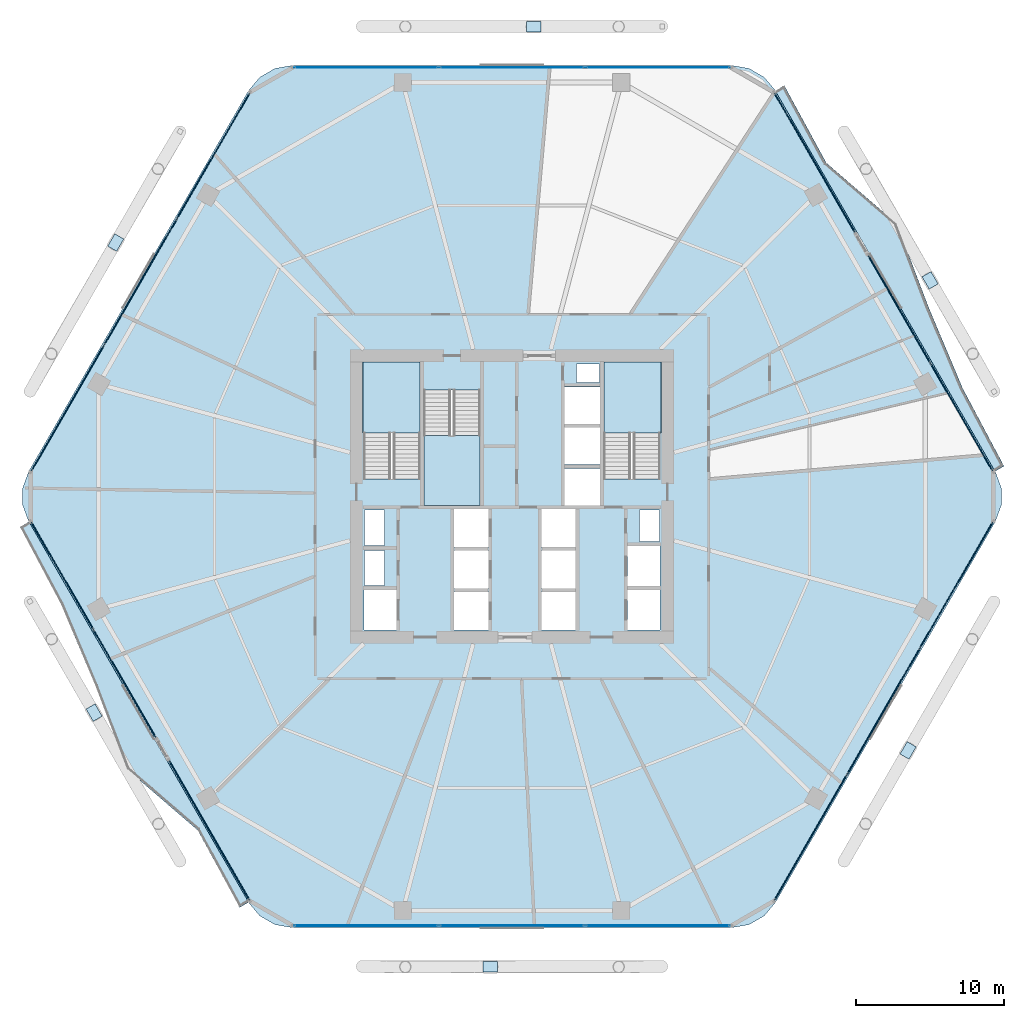
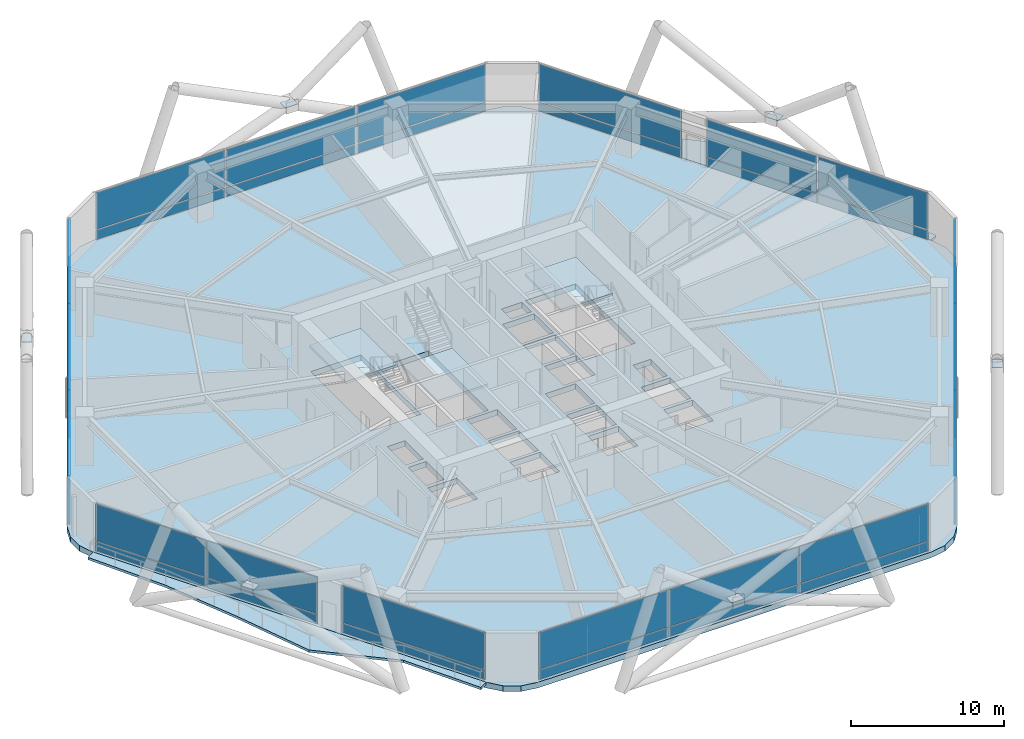
# One storey, part 24 of 31: 42 plates, 6 slabs, 11 elements without a shape of their own.
"""IFC4 building model written with IfcOpenShell, lengths in metres."""

from ifc_helpers import new_model, si_unit, direction, frame, origin, origin_2d, place, context, subcontext, project, spatial, polyline, rectangle, outline, extrude, material, layer, layer_set, type_object, element, aggregate, save


model = new_model("IFC4")

# Units and contexts
model_context = context("Model", 3, precision=1e-05, world=origin(), true_north=direction((0.0, 1.0)))
body_context = subcontext(model_context, "Body", "Model", "MODEL_VIEW")
ifc_project = project(units=[si_unit("LENGTHUNIT", "METRE"), si_unit("AREAUNIT", "SQUARE_METRE"), si_unit("VOLUMEUNIT", "CUBIC_METRE"), si_unit("PLANEANGLEUNIT", "RADIAN"), si_unit("MASSUNIT", "GRAM", prefix="KILO")], contexts=[model_context])

# Site, building, storey
site_placement = place(None, origin())
site = spatial("IfcSite", under=ifc_project, at=site_placement, CompositionType="ELEMENT")
building_placement = place(site_placement, origin())
building = spatial("IfcBuilding", under=site, at=building_placement, Name="Zuhravey Tower", CompositionType="ELEMENT")
storey_placement = place(building_placement, frame((0.0, 0.0, 7.800048828125)))
storey = spatial("IfcBuildingStorey", under=building, at=storey_placement, Name="L02", CompositionType="ELEMENT", Elevation=7.800048828125)

# Plates
ifc_material_1 = material(Name="Steel SM460", Category="steel")
ifc_layer_1 = layer(ifc_material_1, 0.0400390625)
ifc_layer_set_1 = layer_set([ifc_layer_1], Name="Steel SM460")
plate_type_1 = type_object("IfcPlateType", Name="Exoskeleton Zone 1 Node Plate ND1", PredefinedType="SHEET", material=ifc_layer_set_1)
for number, where, z_axis, x_axis, name in (
    (1, (64.2177734375, 46.59228515625, 3.600830078125), (0.0, 0.0, 1.0), (-0.5, 0.866025403784, 0.0), "L02 Face 1 Diagrid X-Crossing Plate"),
    (2, (37.471435546875, 63.718505859375, 3.600830078125), (0.0, 0.0, 1.0), (-1.0, 0.0, 0.0), "L02 Face 2 Diagrid X-Crossing Plate"),
    (3, (9.25390625, 49.14111328125, 3.600830078125), (0.0, 0.0, 1.0), (-0.5, -0.866025403784, 0.0), "L02 Face 3 Diagrid X-Crossing Plate"),
    (4, (7.79541015625, 17.4150390625, 3.600830078125), (0.0, 0.0, 1.0), (0.5, -0.866025403784, 0.0), "L02 Face 4 Diagrid X-Crossing Plate"),
    (5, (34.528564453125, 0.2666015625, 3.600830078125), (0.0, 0.0, 1.0), (1.0, 0.0, 0.0), "L02 Face 5 Diagrid X-Crossing Plate"),
    (6, (62.733154296875, 14.866455078125, 3.600830078125), (0.0, 0.0, 1.0), (0.5, 0.866025403784, 0.0), "L02 Face 6 Diagrid X-Crossing Plate"),
):
    element("IfcPlate", number, at=place(storey_placement, frame(where, z_axis=z_axis, x_axis=x_axis)), inside=storey, type_object=plate_type_1, Name=name, PredefinedType="SHEET", context=body_context, shape_type="SweptSolid", body=[
        extrude(rectangle(XDim=0.9599609375, YDim=0.699951171875, at=origin_2d()), origin(), (0.0, 0.0, 1.0), 0.0400390625),
    ])

# Curtain wall, plates
ifc_material_2 = material(Name="Thermally broken anodised aluminium", Category="aluminium")
curtain_wall_type = type_object("IfcCurtainWallType", Name="School Low-E Unitised Curtain Wall CW1", PredefinedType="NOTDEFINED", material=ifc_material_2)
curtain_wall_1_placement = place(storey_placement, origin())
curtain_wall_1 = element("IfcCurtainWall", 7, at=curtain_wall_1_placement, inside=storey, type_object=curtain_wall_type, Name="L02 CW1 CW-L02-F6-1", PredefinedType="NOTDEFINED")
ifc_material_3 = material(Name="Ceramic-fritted insulated spandrel glass", Category="glass")
ifc_layer_2 = layer(ifc_material_3, 0.06005859375)
ifc_layer_set_2 = layer_set([ifc_layer_2], Name="Ceramic-fritted insulated spandrel glass")
plate_type_2 = type_object("IfcPlateType", Name="Insulated Spandrel Panel", PredefinedType="CURTAIN_PANEL", material=ifc_layer_set_2)
plate_1_placement = place(storey_placement, frame((66.000732421875, 26.045654296875, 0.08984375), z_axis=(0.0, 0.0, 1.0), x_axis=(-0.499999794119, -0.86602552265, 0.0)))
plate_1 = element("IfcPlate", 8, at=plate_1_placement, type_object=plate_type_2, Name="CW1 panel 1.1", PredefinedType="CURTAIN_PANEL", context=body_context, shape_type="SweptSolid", body=[
    extrude(rectangle(XDim=9.7314453125, YDim=0.06005859375, at=origin_2d()), origin(), (0.0, 0.0, 1.0), 0.715087890625),
])
plate_2_placement = place(storey_placement, frame((66.000732421875, 26.045654296875, 0.89501953125), z_axis=(0.0, 0.0, 1.0), x_axis=(-0.499999794119, -0.86602552265, 0.0)))
plate_2 = element("IfcPlate", 9, at=plate_2_placement, type_object=plate_type_2, Name="CW1 panel 1.2", PredefinedType="CURTAIN_PANEL", context=body_context, shape_type="SweptSolid", body=[
    extrude(rectangle(XDim=9.7314453125, YDim=0.06005859375, at=origin_2d()), origin(), (0.0, 0.0, 1.0), 2.93505859375),
])
plate_3_placement = place(storey_placement, frame((61.078857421875, 17.520751953125, 0.08984375), z_axis=(0.0, 0.0, 1.0), x_axis=(-0.499999794119, -0.86602552265, 0.0)))
plate_3 = element("IfcPlate", 10, at=plate_3_placement, type_object=plate_type_2, Name="CW1 panel 2.1", PredefinedType="CURTAIN_PANEL", context=body_context, shape_type="SweptSolid", body=[
    extrude(rectangle(XDim=9.7763671875, YDim=0.06005859375, at=origin_2d()), origin(), (0.0, 0.0, 1.0), 0.715087890625),
])
plate_4_placement = place(storey_placement, frame((61.078857421875, 17.520751953125, 0.89501953125), z_axis=(0.0, 0.0, 1.0), x_axis=(-0.499999794119, -0.86602552265, 0.0)))
plate_4 = element("IfcPlate", 11, at=plate_4_placement, type_object=plate_type_2, Name="CW1 panel 2.2", PredefinedType="CURTAIN_PANEL", context=body_context, shape_type="SweptSolid", body=[
    extrude(rectangle(XDim=9.7763671875, YDim=0.06005859375, at=origin_2d()), origin(), (0.0, 0.0, 1.0), 2.93505859375),
])
plate_5_placement = place(storey_placement, frame((56.15673828125, 8.995849609375, 0.08984375), z_axis=(0.0, 0.0, 1.0), x_axis=(-0.499999794119, -0.86602552265, 0.0)))
plate_5 = element("IfcPlate", 12, at=plate_5_placement, type_object=plate_type_2, Name="CW1 panel 3.1", PredefinedType="CURTAIN_PANEL", context=body_context, shape_type="SweptSolid", body=[
    extrude(rectangle(XDim=9.7314453125, YDim=0.06005859375, at=origin_2d()), origin(), (0.0, 0.0, 1.0), 0.715087890625),
])
plate_6_placement = place(storey_placement, frame((56.15673828125, 8.995849609375, 0.89501953125), z_axis=(0.0, 0.0, 1.0), x_axis=(-0.499999794119, -0.86602552265, 0.0)))
plate_6 = element("IfcPlate", 13, at=plate_6_placement, type_object=plate_type_2, Name="CW1 panel 3.2", PredefinedType="CURTAIN_PANEL", context=body_context, shape_type="SweptSolid", body=[
    extrude(rectangle(XDim=9.7314453125, YDim=0.06005859375, at=origin_2d()), origin(), (0.0, 0.0, 1.0), 2.93505859375),
])
aggregate(curtain_wall_1, [plate_1, plate_2, plate_3, plate_4, plate_5, plate_6])

curtain_wall_2_placement = place(storey_placement, origin())
curtain_wall_2 = element("IfcCurtainWall", 14, at=curtain_wall_2_placement, inside=storey, type_object=curtain_wall_type, Name="L02 CW1 CW-L02-F5-1", PredefinedType="NOTDEFINED")
plate_7_placement = place(storey_placement, frame((45.84375, 3.04150390625, 0.08984375), z_axis=(0.0, 0.0, 1.0), x_axis=(-1.0, 0.0, 0.0)))
plate_7 = element("IfcPlate", 15, at=plate_7_placement, type_object=plate_type_2, Name="CW1 panel 1.1", PredefinedType="CURTAIN_PANEL", context=body_context, shape_type="SweptSolid", body=[
    extrude(rectangle(XDim=9.7314453125, YDim=0.06005859375, at=origin_2d()), origin(), (0.0, 0.0, 1.0), 0.715087890625),
])
plate_8_placement = place(storey_placement, frame((45.84375, 3.04150390625, 0.89501953125), z_axis=(0.0, 0.0, 1.0), x_axis=(-1.0, 0.0, 0.0)))
plate_8 = element("IfcPlate", 16, at=plate_8_placement, type_object=plate_type_2, Name="CW1 panel 1.2", PredefinedType="CURTAIN_PANEL", context=body_context, shape_type="SweptSolid", body=[
    extrude(rectangle(XDim=9.7314453125, YDim=0.06005859375, at=origin_2d()), origin(), (0.0, 0.0, 1.0), 2.93505859375),
])
plate_9_placement = place(storey_placement, frame((36.0, 3.04150390625, 0.08984375), z_axis=(0.0, 0.0, 1.0), x_axis=(-1.0, 0.0, 0.0)))
plate_9 = element("IfcPlate", 17, at=plate_9_placement, type_object=plate_type_2, Name="CW1 panel 2.1", PredefinedType="CURTAIN_PANEL", context=body_context, shape_type="SweptSolid", body=[
    extrude(rectangle(XDim=9.7763671875, YDim=0.06005859375, at=origin_2d()), origin(), (0.0, 0.0, 1.0), 0.715087890625),
])
plate_10_placement = place(storey_placement, frame((36.0, 3.04150390625, 0.89501953125), z_axis=(0.0, 0.0, 1.0), x_axis=(-1.0, 0.0, 0.0)))
plate_10 = element("IfcPlate", 18, at=plate_10_placement, type_object=plate_type_2, Name="CW1 panel 2.2", PredefinedType="CURTAIN_PANEL", context=body_context, shape_type="SweptSolid", body=[
    extrude(rectangle(XDim=9.7763671875, YDim=0.06005859375, at=origin_2d()), origin(), (0.0, 0.0, 1.0), 2.93505859375),
])
plate_11_placement = place(storey_placement, frame((26.15625, 3.04150390625, 0.08984375), z_axis=(0.0, 0.0, 1.0), x_axis=(-1.0, 0.0, 0.0)))
plate_11 = element("IfcPlate", 19, at=plate_11_placement, type_object=plate_type_2, Name="CW1 panel 3.1", PredefinedType="CURTAIN_PANEL", context=body_context, shape_type="SweptSolid", body=[
    extrude(rectangle(XDim=9.7314453125, YDim=0.06005859375, at=origin_2d()), origin(), (0.0, 0.0, 1.0), 0.715087890625),
])
plate_12_placement = place(storey_placement, frame((26.15625, 3.04150390625, 0.89501953125), z_axis=(0.0, 0.0, 1.0), x_axis=(-1.0, 0.0, 0.0)))
plate_12 = element("IfcPlate", 20, at=plate_12_placement, type_object=plate_type_2, Name="CW1 panel 3.2", PredefinedType="CURTAIN_PANEL", context=body_context, shape_type="SweptSolid", body=[
    extrude(rectangle(XDim=9.7314453125, YDim=0.06005859375, at=origin_2d()), origin(), (0.0, 0.0, 1.0), 2.93505859375),
])
aggregate(curtain_wall_2, [plate_7, plate_8, plate_9, plate_10, plate_11, plate_12])

curtain_wall_3_placement = place(storey_placement, origin())
curtain_wall_3 = element("IfcCurtainWall", 21, at=curtain_wall_3_placement, inside=storey, type_object=curtain_wall_type, Name="L02 CW1 CW-L02-F4-1", PredefinedType="NOTDEFINED")
plate_13_placement = place(storey_placement, frame((15.574951171875, 9.460205078125, 0.08984375), z_axis=(0.0, 0.0, 1.0), x_axis=(-0.499998022171, 0.866026545681, 0.0)))
plate_13 = element("IfcPlate", 22, at=plate_13_placement, type_object=plate_type_2, Name="CW1 panel 1.1", PredefinedType="CURTAIN_PANEL", context=body_context, shape_type="SweptSolid", body=[
    extrude(rectangle(XDim=10.803955078125, YDim=0.06005859375, at=origin_2d()), origin(), (0.0, 0.0, 1.0), 0.715087890625),
])
plate_14_placement = place(storey_placement, frame((15.574951171875, 9.460205078125, 0.89501953125), z_axis=(0.0, 0.0, 1.0), x_axis=(-0.499998022171, 0.866026545681, 0.0)))
plate_14 = element("IfcPlate", 23, at=plate_14_placement, type_object=plate_type_2, Name="CW1 panel 1.2", PredefinedType="CURTAIN_PANEL", context=body_context, shape_type="SweptSolid", body=[
    extrude(rectangle(XDim=10.803955078125, YDim=0.06005859375, at=origin_2d()), origin(), (0.0, 0.0, 1.0), 2.93505859375),
])
aggregate(curtain_wall_3, [plate_13, plate_14])

curtain_wall_4_placement = place(storey_placement, origin())
curtain_wall_4 = element("IfcCurtainWall", 24, at=curtain_wall_4_placement, inside=storey, type_object=curtain_wall_type, Name="L02 CW1 CW-L02-F4-2", PredefinedType="NOTDEFINED")
plate_15_placement = place(storey_placement, frame((9.853515625, 19.3701171875, 0.08984375), z_axis=(0.0, 0.0, 1.0), x_axis=(-0.499999818499, 0.866025508574, 0.0)))
plate_15 = element("IfcPlate", 25, at=plate_15_placement, type_object=plate_type_2, Name="CW1 panel 1.1", PredefinedType="CURTAIN_PANEL", context=body_context, shape_type="SweptSolid", body=[
    extrude(rectangle(XDim=8.322509765625, YDim=0.06005859375, at=origin_2d()), origin(), (0.0, 0.0, 1.0), 0.715087890625),
])
plate_16_placement = place(storey_placement, frame((9.853515625, 19.3701171875, 0.89501953125), z_axis=(0.0, 0.0, 1.0), x_axis=(-0.499999818499, 0.866025508574, 0.0)))
plate_16 = element("IfcPlate", 26, at=plate_16_placement, type_object=plate_type_2, Name="CW1 panel 1.2", PredefinedType="CURTAIN_PANEL", context=body_context, shape_type="SweptSolid", body=[
    extrude(rectangle(XDim=8.322509765625, YDim=0.06005859375, at=origin_2d()), origin(), (0.0, 0.0, 1.0), 2.93505859375),
])
plate_17_placement = place(storey_placement, frame((5.647216796875, 26.65576171875, 0.08984375), z_axis=(0.0, 0.0, 1.0), x_axis=(-0.499999818499, 0.866025508574, 0.0)))
plate_17 = element("IfcPlate", 27, at=plate_17_placement, type_object=plate_type_2, Name="CW1 panel 2.1", PredefinedType="CURTAIN_PANEL", context=body_context, shape_type="SweptSolid", body=[
    extrude(rectangle(XDim=8.322509765625, YDim=0.06005859375, at=origin_2d()), origin(), (0.0, 0.0, 1.0), 0.715087890625),
])
plate_18_placement = place(storey_placement, frame((5.647216796875, 26.65576171875, 0.89501953125), z_axis=(0.0, 0.0, 1.0), x_axis=(-0.499999818499, 0.866025508574, 0.0)))
plate_18 = element("IfcPlate", 28, at=plate_18_placement, type_object=plate_type_2, Name="CW1 panel 2.2", PredefinedType="CURTAIN_PANEL", context=body_context, shape_type="SweptSolid", body=[
    extrude(rectangle(XDim=8.322509765625, YDim=0.06005859375, at=origin_2d()), origin(), (0.0, 0.0, 1.0), 2.93505859375),
])
aggregate(curtain_wall_4, [plate_15, plate_16, plate_17, plate_18])

curtain_wall_5_placement = place(storey_placement, origin())
curtain_wall_5 = element("IfcCurtainWall", 29, at=curtain_wall_5_placement, inside=storey, type_object=curtain_wall_type, Name="L02 CW1 CW-L02-F3-1", PredefinedType="NOTDEFINED")
plate_19_placement = place(storey_placement, frame((5.999267578125, 37.954345703125, 0.08984375), z_axis=(0.0, 0.0, 1.0), x_axis=(0.499999794119, 0.86602552265, 0.0)))
plate_19 = element("IfcPlate", 30, at=plate_19_placement, type_object=plate_type_2, Name="CW1 panel 1.1", PredefinedType="CURTAIN_PANEL", context=body_context, shape_type="SweptSolid", body=[
    extrude(rectangle(XDim=9.7314453125, YDim=0.06005859375, at=origin_2d()), origin(), (0.0, 0.0, 1.0), 0.715087890625),
])
plate_20_placement = place(storey_placement, frame((5.999267578125, 37.954345703125, 0.89501953125), z_axis=(0.0, 0.0, 1.0), x_axis=(0.499999794119, 0.86602552265, 0.0)))
plate_20 = element("IfcPlate", 31, at=plate_20_placement, type_object=plate_type_2, Name="CW1 panel 1.2", PredefinedType="CURTAIN_PANEL", context=body_context, shape_type="SweptSolid", body=[
    extrude(rectangle(XDim=9.7314453125, YDim=0.06005859375, at=origin_2d()), origin(), (0.0, 0.0, 1.0), 2.93505859375),
])
plate_21_placement = place(storey_placement, frame((10.921142578125, 46.479248046875, 0.08984375), z_axis=(0.0, 0.0, 1.0), x_axis=(0.499999794119, 0.86602552265, 0.0)))
plate_21 = element("IfcPlate", 32, at=plate_21_placement, type_object=plate_type_2, Name="CW1 panel 2.1", PredefinedType="CURTAIN_PANEL", context=body_context, shape_type="SweptSolid", body=[
    extrude(rectangle(XDim=9.7763671875, YDim=0.06005859375, at=origin_2d()), origin(), (0.0, 0.0, 1.0), 0.715087890625),
])
plate_22_placement = place(storey_placement, frame((10.921142578125, 46.479248046875, 0.89501953125), z_axis=(0.0, 0.0, 1.0), x_axis=(0.499999794119, 0.86602552265, 0.0)))
plate_22 = element("IfcPlate", 33, at=plate_22_placement, type_object=plate_type_2, Name="CW1 panel 2.2", PredefinedType="CURTAIN_PANEL", context=body_context, shape_type="SweptSolid", body=[
    extrude(rectangle(XDim=9.7763671875, YDim=0.06005859375, at=origin_2d()), origin(), (0.0, 0.0, 1.0), 2.93505859375),
])
plate_23_placement = place(storey_placement, frame((15.84326171875, 55.004150390625, 0.08984375), z_axis=(0.0, 0.0, 1.0), x_axis=(0.499999794119, 0.86602552265, 0.0)))
plate_23 = element("IfcPlate", 34, at=plate_23_placement, type_object=plate_type_2, Name="CW1 panel 3.1", PredefinedType="CURTAIN_PANEL", context=body_context, shape_type="SweptSolid", body=[
    extrude(rectangle(XDim=9.7314453125, YDim=0.06005859375, at=origin_2d()), origin(), (0.0, 0.0, 1.0), 0.715087890625),
])
plate_24_placement = place(storey_placement, frame((15.84326171875, 55.004150390625, 0.89501953125), z_axis=(0.0, 0.0, 1.0), x_axis=(0.499999794119, 0.86602552265, 0.0)))
plate_24 = element("IfcPlate", 35, at=plate_24_placement, type_object=plate_type_2, Name="CW1 panel 3.2", PredefinedType="CURTAIN_PANEL", context=body_context, shape_type="SweptSolid", body=[
    extrude(rectangle(XDim=9.7314453125, YDim=0.06005859375, at=origin_2d()), origin(), (0.0, 0.0, 1.0), 2.93505859375),
])
aggregate(curtain_wall_5, [plate_19, plate_20, plate_21, plate_22, plate_23, plate_24])

curtain_wall_6_placement = place(storey_placement, origin())
curtain_wall_6 = element("IfcCurtainWall", 36, at=curtain_wall_6_placement, inside=storey, type_object=curtain_wall_type, Name="L02 CW1 CW-L02-F2-1", PredefinedType="NOTDEFINED")
plate_25_placement = place(storey_placement, frame((26.15625, 60.95849609375, 0.08984375), z_axis=(0.0, 0.0, 1.0), x_axis=(1.0, 0.0, 0.0)))
plate_25 = element("IfcPlate", 37, at=plate_25_placement, type_object=plate_type_2, Name="CW1 panel 1.1", PredefinedType="CURTAIN_PANEL", context=body_context, shape_type="SweptSolid", body=[
    extrude(rectangle(XDim=9.7314453125, YDim=0.06005859375, at=origin_2d()), origin(), (0.0, 0.0, 1.0), 0.715087890625),
])
plate_26_placement = place(storey_placement, frame((26.15625, 60.95849609375, 0.89501953125), z_axis=(0.0, 0.0, 1.0), x_axis=(1.0, 0.0, 0.0)))
plate_26 = element("IfcPlate", 38, at=plate_26_placement, type_object=plate_type_2, Name="CW1 panel 1.2", PredefinedType="CURTAIN_PANEL", context=body_context, shape_type="SweptSolid", body=[
    extrude(rectangle(XDim=9.7314453125, YDim=0.06005859375, at=origin_2d()), origin(), (0.0, 0.0, 1.0), 2.93505859375),
])
plate_27_placement = place(storey_placement, frame((36.0, 60.95849609375, 0.08984375), z_axis=(0.0, 0.0, 1.0), x_axis=(1.0, 0.0, 0.0)))
plate_27 = element("IfcPlate", 39, at=plate_27_placement, type_object=plate_type_2, Name="CW1 panel 2.1", PredefinedType="CURTAIN_PANEL", context=body_context, shape_type="SweptSolid", body=[
    extrude(rectangle(XDim=9.7763671875, YDim=0.06005859375, at=origin_2d()), origin(), (0.0, 0.0, 1.0), 0.715087890625),
])
plate_28_placement = place(storey_placement, frame((36.0, 60.95849609375, 0.89501953125), z_axis=(0.0, 0.0, 1.0), x_axis=(1.0, 0.0, 0.0)))
plate_28 = element("IfcPlate", 40, at=plate_28_placement, type_object=plate_type_2, Name="CW1 panel 2.2", PredefinedType="CURTAIN_PANEL", context=body_context, shape_type="SweptSolid", body=[
    extrude(rectangle(XDim=9.7763671875, YDim=0.06005859375, at=origin_2d()), origin(), (0.0, 0.0, 1.0), 2.93505859375),
])
plate_29_placement = place(storey_placement, frame((45.84375, 60.95849609375, 0.08984375), z_axis=(0.0, 0.0, 1.0), x_axis=(1.0, 0.0, 0.0)))
plate_29 = element("IfcPlate", 41, at=plate_29_placement, type_object=plate_type_2, Name="CW1 panel 3.1", PredefinedType="CURTAIN_PANEL", context=body_context, shape_type="SweptSolid", body=[
    extrude(rectangle(XDim=9.7314453125, YDim=0.06005859375, at=origin_2d()), origin(), (0.0, 0.0, 1.0), 0.715087890625),
])
plate_30_placement = place(storey_placement, frame((45.84375, 60.95849609375, 0.89501953125), z_axis=(0.0, 0.0, 1.0), x_axis=(1.0, 0.0, 0.0)))
plate_30 = element("IfcPlate", 42, at=plate_30_placement, type_object=plate_type_2, Name="CW1 panel 3.2", PredefinedType="CURTAIN_PANEL", context=body_context, shape_type="SweptSolid", body=[
    extrude(rectangle(XDim=9.7314453125, YDim=0.06005859375, at=origin_2d()), origin(), (0.0, 0.0, 1.0), 2.93505859375),
])
aggregate(curtain_wall_6, [plate_25, plate_26, plate_27, plate_28, plate_29, plate_30])

curtain_wall_7_placement = place(storey_placement, origin())
curtain_wall_7 = element("IfcCurtainWall", 43, at=curtain_wall_7_placement, inside=storey, type_object=curtain_wall_type, Name="L02 CW1 CW-L02-F1-1", PredefinedType="NOTDEFINED")
plate_31_placement = place(storey_placement, frame((56.425048828125, 54.539794921875, 0.08984375), z_axis=(0.0, 0.0, 1.0), x_axis=(0.499998022171, -0.866026545681, 0.0)))
plate_31 = element("IfcPlate", 44, at=plate_31_placement, type_object=plate_type_2, Name="CW1 panel 1.1", PredefinedType="CURTAIN_PANEL", context=body_context, shape_type="SweptSolid", body=[
    extrude(rectangle(XDim=10.803955078125, YDim=0.06005859375, at=origin_2d()), origin(), (0.0, 0.0, 1.0), 0.715087890625),
])
plate_32_placement = place(storey_placement, frame((56.425048828125, 54.539794921875, 0.89501953125), z_axis=(0.0, 0.0, 1.0), x_axis=(0.499998022171, -0.866026545681, 0.0)))
plate_32 = element("IfcPlate", 45, at=plate_32_placement, type_object=plate_type_2, Name="CW1 panel 1.2", PredefinedType="CURTAIN_PANEL", context=body_context, shape_type="SweptSolid", body=[
    extrude(rectangle(XDim=10.803955078125, YDim=0.06005859375, at=origin_2d()), origin(), (0.0, 0.0, 1.0), 2.93505859375),
])
aggregate(curtain_wall_7, [plate_31, plate_32])

curtain_wall_8_placement = place(storey_placement, origin())
curtain_wall_8 = element("IfcCurtainWall", 46, at=curtain_wall_8_placement, inside=storey, type_object=curtain_wall_type, Name="L02 CW1 CW-L02-F1-2", PredefinedType="NOTDEFINED")
plate_33_placement = place(storey_placement, frame((62.146484375, 44.6298828125, 0.08984375), z_axis=(0.0, 0.0, 1.0), x_axis=(0.499999818499, -0.866025508574, 0.0)))
plate_33 = element("IfcPlate", 47, at=plate_33_placement, type_object=plate_type_2, Name="CW1 panel 1.1", PredefinedType="CURTAIN_PANEL", context=body_context, shape_type="SweptSolid", body=[
    extrude(rectangle(XDim=8.322509765625, YDim=0.06005859375, at=origin_2d()), origin(), (0.0, 0.0, 1.0), 0.715087890625),
])
plate_34_placement = place(storey_placement, frame((62.146484375, 44.6298828125, 0.89501953125), z_axis=(0.0, 0.0, 1.0), x_axis=(0.499999818499, -0.866025508574, 0.0)))
plate_34 = element("IfcPlate", 48, at=plate_34_placement, type_object=plate_type_2, Name="CW1 panel 1.2", PredefinedType="CURTAIN_PANEL", context=body_context, shape_type="SweptSolid", body=[
    extrude(rectangle(XDim=8.322509765625, YDim=0.06005859375, at=origin_2d()), origin(), (0.0, 0.0, 1.0), 2.93505859375),
])
plate_35_placement = place(storey_placement, frame((66.352783203125, 37.34423828125, 0.08984375), z_axis=(0.0, 0.0, 1.0), x_axis=(0.499999818499, -0.866025508574, 0.0)))
plate_35 = element("IfcPlate", 49, at=plate_35_placement, type_object=plate_type_2, Name="CW1 panel 2.1", PredefinedType="CURTAIN_PANEL", context=body_context, shape_type="SweptSolid", body=[
    extrude(rectangle(XDim=8.322509765625, YDim=0.06005859375, at=origin_2d()), origin(), (0.0, 0.0, 1.0), 0.715087890625),
])
plate_36_placement = place(storey_placement, frame((66.352783203125, 37.34423828125, 0.89501953125), z_axis=(0.0, 0.0, 1.0), x_axis=(0.499999818499, -0.866025508574, 0.0)))
plate_36 = element("IfcPlate", 50, at=plate_36_placement, type_object=plate_type_2, Name="CW1 panel 2.2", PredefinedType="CURTAIN_PANEL", context=body_context, shape_type="SweptSolid", body=[
    extrude(rectangle(XDim=8.322509765625, YDim=0.06005859375, at=origin_2d()), origin(), (0.0, 0.0, 1.0), 2.93505859375),
])
aggregate(curtain_wall_8, [plate_33, plate_34, plate_35, plate_36])

# Slabs
ifc_material_4 = material(Name="Concrete C60/75", Category="concrete")
ifc_layer_3 = layer(ifc_material_4, 0.449951171875)
ifc_layer_set_3 = layer_set([ifc_layer_3], Name="Concrete C60/75")
slab_type_1 = type_object("IfcSlabType", Name="Podium Transfer Floor Slab 450", PredefinedType="FLOOR", material=ifc_layer_set_3)
slab_1_placement = place(storey_placement, frame((0.0, 0.0, -0.449951171875)))
element("IfcSlab", 51, at=slab_1_placement, inside=storey, type_object=slab_type_1, Name="L02 Floor Slab TS45", PredefinedType="FLOOR", context=body_context, shape_type="SweptSolid", body=[
    extrude(outline(polyline([(68.618408203125, 30.300048828125), (69.0224609375, 31.40966796875), (69.0224609375, 32.59033203125), (68.618408203125, 33.699951171875), (53.781494140625, 59.3984375), (53.0224609375, 60.302978515625), (52.0, 60.893310546875), (50.8369140625, 61.098388671875), (21.1630859375, 61.098388671875), (20.0, 60.893310546875), (18.9775390625, 60.302978515625), (18.218505859375, 59.3984375), (3.381591796875, 33.699951171875), (2.9775390625, 32.59033203125), (2.9775390625, 31.40966796875), (3.381591796875, 30.300048828125), (18.218505859375, 4.6015625), (18.9775390625, 3.697021484375), (20.0, 3.106689453125), (21.1630859375, 2.901611328125), (50.8369140625, 2.901611328125), (52.0, 3.106689453125), (53.0224609375, 3.697021484375), (53.781494140625, 4.6015625), (68.618408203125, 30.300048828125)]), holes=[polyline([(29.800048828125, 33.20068359375), (29.800048828125, 41.0), (26.0, 41.0), (26.0, 33.20068359375), (29.800048828125, 33.20068359375)]), polyline([(46.0, 33.20068359375), (46.0, 41.0), (42.199951171875, 41.0), (42.199951171875, 33.20068359375), (46.0, 33.20068359375)]), polyline([(30.050048828125, 39.199462890625), (30.050048828125, 31.39990234375), (33.85009765625, 31.39990234375), (33.85009765625, 39.199462890625), (30.050048828125, 39.199462890625)]), polyline([(32.10009765625, 23.0), (34.39990234375, 23.0), (34.39990234375, 25.550048828125), (32.10009765625, 25.550048828125), (32.10009765625, 23.0)]), polyline([(32.10009765625, 25.800048828125), (34.39990234375, 25.800048828125), (34.39990234375, 28.35009765625), (32.10009765625, 28.35009765625), (32.10009765625, 25.800048828125)]), polyline([(32.10009765625, 28.60009765625), (34.39990234375, 28.60009765625), (34.39990234375, 31.14990234375), (32.10009765625, 31.14990234375), (32.10009765625, 28.60009765625)]), polyline([(38.0, 23.0), (40.300048828125, 23.0), (40.300048828125, 25.550048828125), (38.0, 25.550048828125), (38.0, 23.0)]), polyline([(38.0, 25.800048828125), (40.300048828125, 25.800048828125), (40.300048828125, 28.35009765625), (38.0, 28.35009765625), (38.0, 25.800048828125)]), polyline([(38.0, 28.60009765625), (40.300048828125, 28.60009765625), (40.300048828125, 31.14990234375), (38.0, 31.14990234375), (38.0, 28.60009765625)]), polyline([(39.550048828125, 31.39990234375), (41.949951171875, 31.39990234375), (41.949951171875, 33.89990234375), (39.550048828125, 33.89990234375), (39.550048828125, 31.39990234375)]), polyline([(39.550048828125, 34.14990234375), (41.949951171875, 34.14990234375), (41.949951171875, 36.64990234375), (39.550048828125, 36.64990234375), (39.550048828125, 34.14990234375)]), polyline([(39.550048828125, 36.89990234375), (41.949951171875, 36.89990234375), (41.949951171875, 39.39990234375), (39.550048828125, 39.39990234375), (39.550048828125, 36.89990234375)]), polyline([(26.0, 23.0), (28.199951171875, 23.0), (28.199951171875, 25.699951171875), (26.0, 25.699951171875), (26.0, 23.0)]), polyline([(43.800048828125, 23.0), (46.0, 23.0), (46.0, 25.699951171875), (43.800048828125, 25.699951171875), (43.800048828125, 23.0)]), polyline([(43.800048828125, 25.949951171875), (46.0, 25.949951171875), (46.0, 28.64990234375), (43.800048828125, 28.64990234375), (43.800048828125, 25.949951171875)]), polyline([(26.050048828125, 26.0), (27.39990234375, 26.0), (27.39990234375, 28.35009765625), (26.050048828125, 28.35009765625), (26.050048828125, 26.0)]), polyline([(26.050048828125, 28.699951171875), (27.39990234375, 28.699951171875), (27.39990234375, 31.10009765625), (26.050048828125, 31.10009765625), (26.050048828125, 28.699951171875)]), polyline([(44.60009765625, 28.949951171875), (45.949951171875, 28.949951171875), (45.949951171875, 31.10009765625), (44.60009765625, 31.10009765625), (44.60009765625, 28.949951171875)]), polyline([(40.35009765625, 39.699951171875), (41.89990234375, 39.699951171875), (41.89990234375, 40.949951171875), (40.35009765625, 40.949951171875), (40.35009765625, 39.699951171875)])]), origin(), (0.0, 0.0, 1.0), 0.449951171875),
])
ifc_material_5 = material(Name="Precast concrete C40/50", Category="concrete")
ifc_layer_4 = layer(ifc_material_5, 0.18994140625)
ifc_layer_set_4 = layer_set([ifc_layer_4], Name="Precast concrete C40/50")
slab_type_2 = type_object("IfcSlabType", Name="Sinusoidal School Sunshade Ledge 190", PredefinedType="FLOOR", material=ifc_layer_set_4)
slab_2_placement = place(storey_placement, frame((0.0, 0.0, -0.18994140625)))
element("IfcSlab", 52, at=slab_2_placement, inside=storey, type_object=slab_type_2, Name="L02 Face 1 Wave Balcony WL19", PredefinedType="FLOOR", context=body_context, shape_type="SweptSolid", body=[
    extrude(outline(polyline([(68.601318359375, 33.699951171875), (53.772705078125, 59.383544921875), (54.37890625, 59.7333984375), (57.212158203125, 54.520263671875), (61.972412109375, 50.419677734375), (64.104248046875, 44.801513671875), (66.422119140625, 39.291015625), (69.20751953125, 34.050048828125), (68.601318359375, 33.699951171875)])), origin(), (0.0, 0.0, 1.0), 0.18994140625),
])
slab_3_placement = place(storey_placement, frame((0.0, 0.0, -0.18994140625)))
element("IfcSlab", 53, at=slab_3_placement, inside=storey, type_object=slab_type_2, Name="L02 Face 4 Wave Balcony WL19", PredefinedType="FLOOR", context=body_context, shape_type="SweptSolid", body=[
    extrude(outline(polyline([(3.398681640625, 30.300048828125), (18.227294921875, 4.616455078125), (17.62109375, 4.2666015625), (14.787841796875, 9.479736328125), (10.027587890625, 13.580322265625), (7.895751953125, 19.198486328125), (5.577880859375, 24.708984375), (2.79248046875, 29.949951171875), (3.398681640625, 30.300048828125)])), origin(), (0.0, 0.0, 1.0), 0.18994140625),
])

# Stair, slab
ifc_material_6 = material(Name="Concrete C40/50", Category="concrete")
stair_type = type_object("IfcStairType", Name="School Storey Stair Assembly 4200", PredefinedType="HALF_TURN_STAIR", material=ifc_material_6)
stair_1_placement = place(storey_placement, origin())
stair_1 = element("IfcStair", 54, at=stair_1_placement, inside=storey, type_object=stair_type, Name="L02 Core Exit Stair ST1", PredefinedType="HALF_TURN_STAIR")
ifc_layer_5 = layer(ifc_material_6, 0.199951171875)
ifc_layer_set_5 = layer_set([ifc_layer_5], Name="Concrete C40/50")
slab_type_3 = type_object("IfcSlabType", Name="Stair Landing Slab 200", PredefinedType="LANDING", material=ifc_layer_set_5)
slab_4_placement = place(storey_placement, frame((0.0, 0.0, 1.89990234375)))
slab_4 = element("IfcSlab", 55, at=slab_4_placement, type_object=slab_type_3, Name="ST1 landing 1", PredefinedType="LANDING", context=body_context, shape_type="SweptSolid", body=[
    extrude(outline(polyline([(29.800048828125, 36.280029296875), (29.800048828125, 41.072998046875), (25.927001953125, 41.072998046875), (25.927001953125, 36.280029296875), (29.800048828125, 36.280029296875)])), origin(), (0.0, 0.0, 1.0), 0.199951171875),
])
aggregate(stair_1, [slab_4])

stair_2_placement = place(storey_placement, origin())
stair_2 = element("IfcStair", 56, at=stair_2_placement, inside=storey, type_object=stair_type, Name="L02 Core Exit Stair ST2", PredefinedType="HALF_TURN_STAIR")
slab_5_placement = place(storey_placement, frame((0.0, 0.0, 1.89990234375)))
slab_5 = element("IfcSlab", 57, at=slab_5_placement, type_object=slab_type_3, Name="ST2 landing 1", PredefinedType="LANDING", context=body_context, shape_type="SweptSolid", body=[
    extrude(outline(polyline([(46.072998046875, 36.280029296875), (46.072998046875, 41.072998046875), (42.199951171875, 41.072998046875), (42.199951171875, 36.280029296875), (46.072998046875, 36.280029296875)])), origin(), (0.0, 0.0, 1.0), 0.199951171875),
])
aggregate(stair_2, [slab_5])

stair_3_placement = place(storey_placement, origin())
stair_3 = element("IfcStair", 58, at=stair_3_placement, inside=storey, type_object=stair_type, Name="L02 Core Exit Stair ST3", PredefinedType="HALF_TURN_STAIR")
slab_6_placement = place(storey_placement, frame((0.0, 0.0, 1.89990234375)))
slab_6 = element("IfcSlab", 59, at=slab_6_placement, type_object=slab_type_3, Name="ST3 landing 1", PredefinedType="LANDING", context=body_context, shape_type="SweptSolid", body=[
    extrude(outline(polyline([(30.050048828125, 36.1201171875), (30.050048828125, 31.39990234375), (33.85009765625, 31.39990234375), (33.85009765625, 36.1201171875), (30.050048828125, 36.1201171875)])), origin(), (0.0, 0.0, 1.0), 0.199951171875),
])
aggregate(stair_3, [slab_6])

save(model, "model.ifc")
